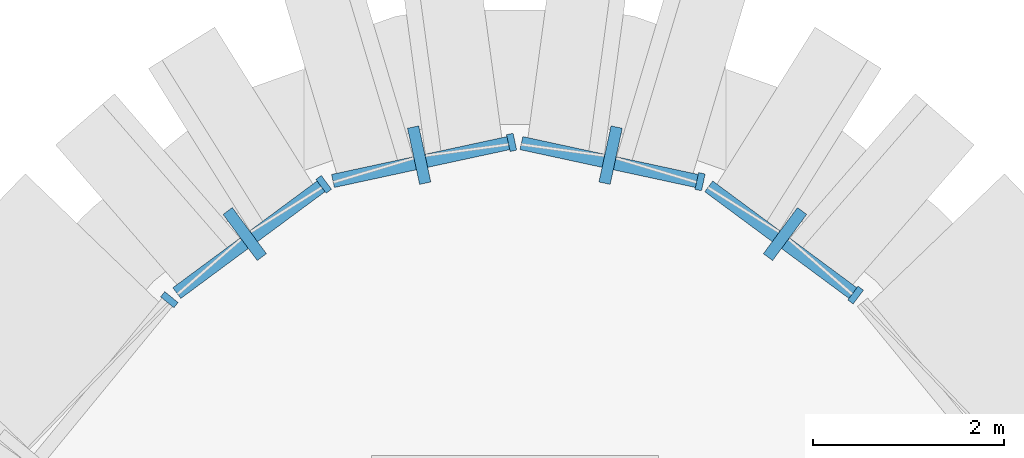
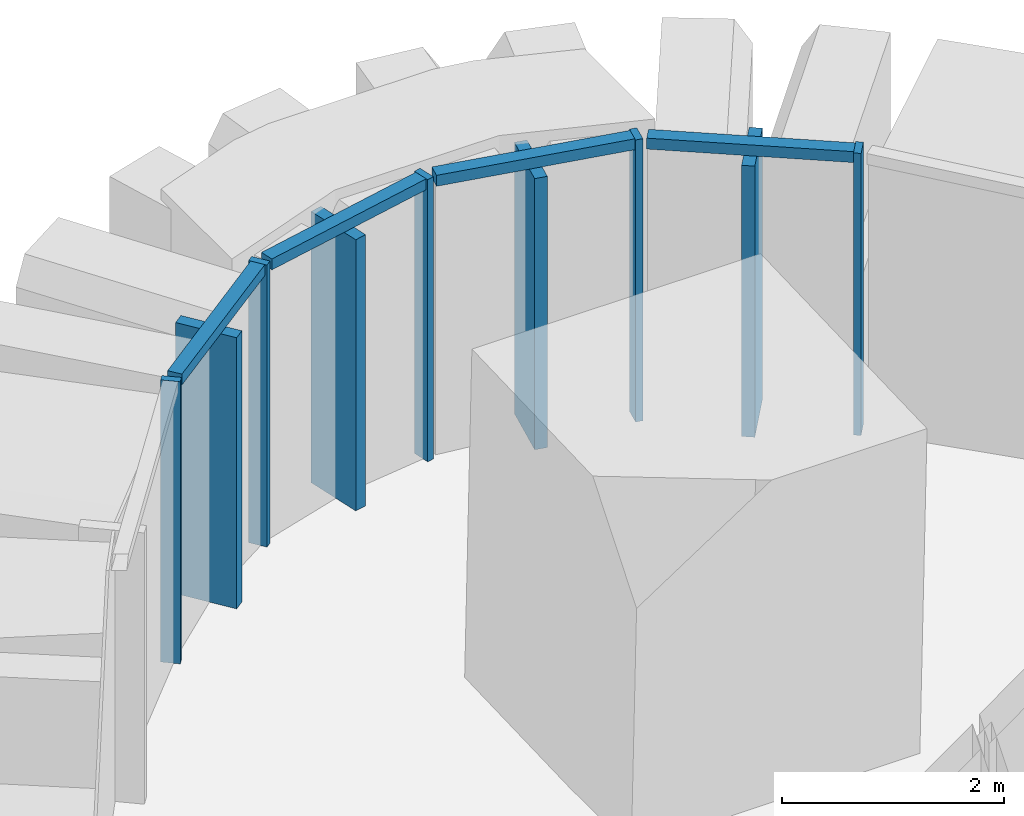
# One storey, part 9 of 27: 13 members, 5 elements without a shape of their own.
"""IFC4 building model written with IfcOpenShell, lengths in metres."""

from ifc_helpers import new_model, si_unit, direction, frame, origin, origin_2d, place, context, subcontext, project, spatial, rectangle, extrude, material, layer, layer_set, material_profile, profile_set, type_object, element, aggregate, save


model = new_model("IFC4")

# Units and contexts
model_context = context("Model", 3, precision=1e-05, world=origin(), true_north=direction((0.0, 1.0)))
body_context = subcontext(model_context, "Body", "Model", "MODEL_VIEW")
ifc_project = project(units=[si_unit("LENGTHUNIT", "METRE"), si_unit("AREAUNIT", "SQUARE_METRE"), si_unit("VOLUMEUNIT", "CUBIC_METRE"), si_unit("PLANEANGLEUNIT", "RADIAN"), si_unit("MASSUNIT", "GRAM", prefix="KILO")], contexts=[model_context])

# Site, building, storey
site_placement = place(None, origin())
site = spatial("IfcSite", under=ifc_project, at=site_placement, CompositionType="ELEMENT")
building_placement = place(site_placement, origin())
building = spatial("IfcBuilding", under=site, at=building_placement, Name="Sierra Prisma Convention Tower", CompositionType="ELEMENT")
storey_placement = place(building_placement, frame((0.0, 0.0, 48.0)))
storey = spatial("IfcBuildingStorey", under=building, at=storey_placement, Name="L07", CompositionType="ELEMENT", Elevation=48.0)

# Curtain wall, member
ifc_material_1 = material(Name="Aluminium and glass curtain wall", Category="aluminium")
ifc_layer = layer(ifc_material_1, 0.179931640625)
ifc_layer_set = layer_set([ifc_layer], Name="CW-2 Faceted crystal curtain wall")
curtain_wall_type = type_object("IfcCurtainWallType", Name="CW-2 Faceted crystal curtain wall", PredefinedType="NOTDEFINED", material=ifc_layer_set)
curtain_wall_1_placement = place(storey_placement, origin())
curtain_wall_1 = element("IfcCurtainWall", 1, at=curtain_wall_1_placement, inside=storey, type_object=curtain_wall_type, Name="CW-2 N1 L07", PredefinedType="NOTDEFINED")
ifc_material_2 = material(Name="Aluminium 6063-T6 bronze anodised", Category="aluminium")
ifc_material_profile_1 = material_profile(ifc_material_2, rectangle(XDim=0.1201171875, YDim=0.60009765625, at=origin_2d()), Name="ALU RIDGE BLADE 120x600")
ifc_profile_set_1 = profile_set([ifc_material_profile_1], Name="Aluminium 6063-T6 bronze anodised")
member_type_1 = type_object("IfcMemberType", Name="CW hip bronze", PredefinedType="MULLION", material=ifc_profile_set_1)
member_1_placement = place(storey_placement, frame((2.823486328125, 35.26953125, 0.0), z_axis=(0.0, 0.0, 1.0), x_axis=(-0.80368047068, 0.595061090181, 0.0)))
member_1 = element("IfcMember", 2, at=member_1_placement, type_object=member_type_1, Name="CW-2 ridge N1.1", PredefinedType="MULLION", context=body_context, shape_type="SweptSolid", body=[
    extrude(rectangle(XDim=0.1201171875, YDim=0.60009765625, at=origin_2d()), origin(), (0.0, 0.0, 1.0), 2.97998046875),
])

curtain_wall_2_placement = place(storey_placement, origin())
curtain_wall_2 = element("IfcCurtainWall", 3, at=curtain_wall_2_placement, inside=storey, type_object=curtain_wall_type, Name="CW-2 N2 L07", PredefinedType="NOTDEFINED")
member_2_placement = place(storey_placement, frame((1.00048828125, 36.094482421875, 0.0), z_axis=(0.0, 0.0, 1.0), x_axis=(-0.977517839372, 0.21085272991, 0.0)))
member_2 = element("IfcMember", 4, at=member_2_placement, type_object=member_type_1, Name="CW-2 ridge N2.1", PredefinedType="MULLION", context=body_context, shape_type="SweptSolid", body=[
    extrude(rectangle(XDim=0.1201171875, YDim=0.60009765625, at=origin_2d()), origin(), (0.0, 0.0, 1.0), 2.97998046875),
])

curtain_wall_3_placement = place(storey_placement, origin())
curtain_wall_3 = element("IfcCurtainWall", 5, at=curtain_wall_3_placement, inside=storey, type_object=curtain_wall_type, Name="CW-2 N3 L07", PredefinedType="NOTDEFINED")
member_3_placement = place(storey_placement, frame((-1.00048828125, 36.094482421875, 0.0), z_axis=(0.0, 0.0, 1.0), x_axis=(-0.977517839372, -0.21085272991, 0.0)))
member_3 = element("IfcMember", 6, at=member_3_placement, type_object=member_type_1, Name="CW-2 ridge N3.1", PredefinedType="MULLION", context=body_context, shape_type="SweptSolid", body=[
    extrude(rectangle(XDim=0.1201171875, YDim=0.60009765625, at=origin_2d()), origin(), (0.0, 0.0, 1.0), 2.97998046875),
])

curtain_wall_4_placement = place(storey_placement, origin())
curtain_wall_4 = element("IfcCurtainWall", 7, at=curtain_wall_4_placement, inside=storey, type_object=curtain_wall_type, Name="CW-2 N4 L07", PredefinedType="NOTDEFINED")
member_4_placement = place(storey_placement, frame((-2.823486328125, 35.26953125, 0.0), z_axis=(0.0, 0.0, 1.0), x_axis=(-0.80368047068, -0.595061090181, 0.0)))
member_4 = element("IfcMember", 8, at=member_4_placement, type_object=member_type_1, Name="CW-2 ridge N4.1", PredefinedType="MULLION", context=body_context, shape_type="SweptSolid", body=[
    extrude(rectangle(XDim=0.1201171875, YDim=0.60009765625, at=origin_2d()), origin(), (0.0, 0.0, 1.0), 2.97998046875),
])

# Member
ifc_material_3 = material(Name="Aluminium 6063-T6 bronze anodised", Category="aluminium")
ifc_material_profile_2 = material_profile(ifc_material_3, rectangle(XDim=0.179931640625, YDim=0.070068359375, at=origin_2d()), Name="ALU MULLION 70x180")
ifc_profile_set_2 = profile_set([ifc_material_profile_2], Name="Aluminium 6063-T6 bronze anodised")
member_type_2 = type_object("IfcMemberType", Name="CW mullion bronze", PredefinedType="MULLION", material=ifc_profile_set_2)
member_5_placement = place(storey_placement, frame((3.561279296875, 34.631591796875, 0.0), z_axis=(0.0, 0.0, 1.0), x_axis=(-0.595061090181, -0.80368047068, 0.0)))
member_5 = element("IfcMember", 9, at=member_5_placement, type_object=member_type_2, Name="CW-1 mullion N1.1", PredefinedType="MULLION", context=body_context, shape_type="SweptSolid", body=[
    extrude(rectangle(XDim=0.179931640625, YDim=0.070068359375, at=origin_2d()), origin(), (0.0, 0.0, 1.0), 3.10009765625),
])

member_6_placement = place(storey_placement, frame((1.935546875, 35.817138671875, 0.0), z_axis=(0.0, 0.0, 1.0), x_axis=(-0.21085272991, -0.977517839372, 0.0)))
member_6 = element("IfcMember", 10, at=member_6_placement, type_object=member_type_2, Name="CW-1 mullion N2.1", PredefinedType="MULLION", context=body_context, shape_type="SweptSolid", body=[
    extrude(rectangle(XDim=0.179931640625, YDim=0.070068359375, at=origin_2d()), origin(), (0.0, 0.0, 1.0), 3.10009765625),
])

member_7_placement = place(storey_placement, frame((-0.0341796875, 36.227294921875, 0.0), z_axis=(0.0, 0.0, 1.0), x_axis=(0.21085272991, -0.977517839372, 0.0)))
member_7 = element("IfcMember", 11, at=member_7_placement, type_object=member_type_2, Name="CW-1 mullion N3.1", PredefinedType="MULLION", context=body_context, shape_type="SweptSolid", body=[
    extrude(rectangle(XDim=0.179931640625, YDim=0.070068359375, at=origin_2d()), origin(), (0.0, 0.0, 1.0), 3.10009765625),
])

member_8_placement = place(storey_placement, frame((-1.998046875, 35.7890625, 0.0), z_axis=(0.0, 0.0, 1.0), x_axis=(0.595061090181, -0.80368047068, 0.0)))
member_8 = element("IfcMember", 12, at=member_8_placement, type_object=member_type_2, Name="CW-1 mullion N4.1", PredefinedType="MULLION", context=body_context, shape_type="SweptSolid", body=[
    extrude(rectangle(XDim=0.179931640625, YDim=0.070068359375, at=origin_2d()), origin(), (0.0, 0.0, 1.0), 3.10009765625),
])

# Curtain wall, member
curtain_wall_5_placement = place(storey_placement, origin())
curtain_wall_5 = element("IfcCurtainWall", 13, at=curtain_wall_5_placement, inside=storey, type_object=curtain_wall_type, Name="CW-2 NW1 L07", PredefinedType="NOTDEFINED")
member_9_placement = place(storey_placement, frame((-3.611572265625, 34.58349609375, 0.0), z_axis=(0.0, 0.0, 1.0), x_axis=(0.773046549733, -0.634349298057, 0.0)))
member_9 = element("IfcMember", 14, at=member_9_placement, type_object=member_type_2, Name="CW-1 mullion NW1.1", PredefinedType="MULLION", context=body_context, shape_type="SweptSolid", body=[
    extrude(rectangle(XDim=0.179931640625, YDim=0.070068359375, at=origin_2d()), origin(), (0.0, 0.0, 1.0), 3.10009765625),
])
aggregate(curtain_wall_5, [member_9])

# Member
ifc_material_4 = material(Name="Aluminium 6063-T6 bronze anodised", Category="aluminium")
ifc_material_profile_3 = material_profile(ifc_material_4, rectangle(XDim=0.139892578125, YDim=0.1201171875, at=origin_2d()), Name="ALU TRANSOM 120x140")
ifc_profile_set_3 = profile_set([ifc_material_profile_3], Name="Aluminium 6063-T6 bronze anodised")
member_type_3 = type_object("IfcMemberType", Name="CW transom bronze", PredefinedType="USERDEFINED", material=ifc_profile_set_3)
member_10_placement = place(storey_placement, frame((3.533203125, 34.65234375, 3.0400390625), z_axis=(-0.803718615195, 0.595009569325, 0.0), x_axis=(-0.595009569325, -0.803718615195, 0.0)))
member_10 = element("IfcMember", 15, at=member_10_placement, type_object=member_type_3, Name="CW-1 transom N1.1", ObjectType="TRANSOM", PredefinedType="USERDEFINED", context=body_context, shape_type="SweptSolid", body=[
    extrude(rectangle(XDim=0.139892578125, YDim=0.1201171875, at=origin_2d()), origin(), (0.0, 0.0, 1.0), 1.875244140625),
])

aggregate(curtain_wall_1, [member_5, member_10, member_1])

member_11_placement = place(storey_placement, frame((1.9013671875, 35.824462890625, 3.0400390625), z_axis=(-0.977504204578, 0.210915931196, 0.0), x_axis=(-0.210915931196, -0.977504204578, 0.0)))
member_11 = element("IfcMember", 16, at=member_11_placement, type_object=member_type_3, Name="CW-1 transom N2.1", ObjectType="TRANSOM", PredefinedType="USERDEFINED", context=body_context, shape_type="SweptSolid", body=[
    extrude(rectangle(XDim=0.139892578125, YDim=0.1201171875, at=origin_2d()), origin(), (0.0, 0.0, 1.0), 1.875244140625),
])

aggregate(curtain_wall_2, [member_6, member_11, member_2])

member_12_placement = place(storey_placement, frame((-0.068359375, 36.219970703125, 3.0400390625), z_axis=(-0.977504204578, -0.210915931196, 0.0), x_axis=(0.210915931196, -0.977504204578, 0.0)))
member_12 = element("IfcMember", 17, at=member_12_placement, type_object=member_type_3, Name="CW-1 transom N3.1", ObjectType="TRANSOM", PredefinedType="USERDEFINED", context=body_context, shape_type="SweptSolid", body=[
    extrude(rectangle(XDim=0.139892578125, YDim=0.1201171875, at=origin_2d()), origin(), (0.0, 0.0, 1.0), 1.875244140625),
])

aggregate(curtain_wall_3, [member_7, member_12, member_3])

member_13_placement = place(storey_placement, frame((-2.026123046875, 35.76806640625, 3.0400390625), z_axis=(-0.803718615195, -0.595009569325, 0.0), x_axis=(0.595009569325, -0.803718615195, 0.0)))
member_13 = element("IfcMember", 18, at=member_13_placement, type_object=member_type_3, Name="CW-1 transom N4.1", ObjectType="TRANSOM", PredefinedType="USERDEFINED", context=body_context, shape_type="SweptSolid", body=[
    extrude(rectangle(XDim=0.139892578125, YDim=0.1201171875, at=origin_2d()), origin(), (0.0, 0.0, 1.0), 1.875244140625),
])

aggregate(curtain_wall_4, [member_8, member_13, member_4])

save(model, "model.ifc")
